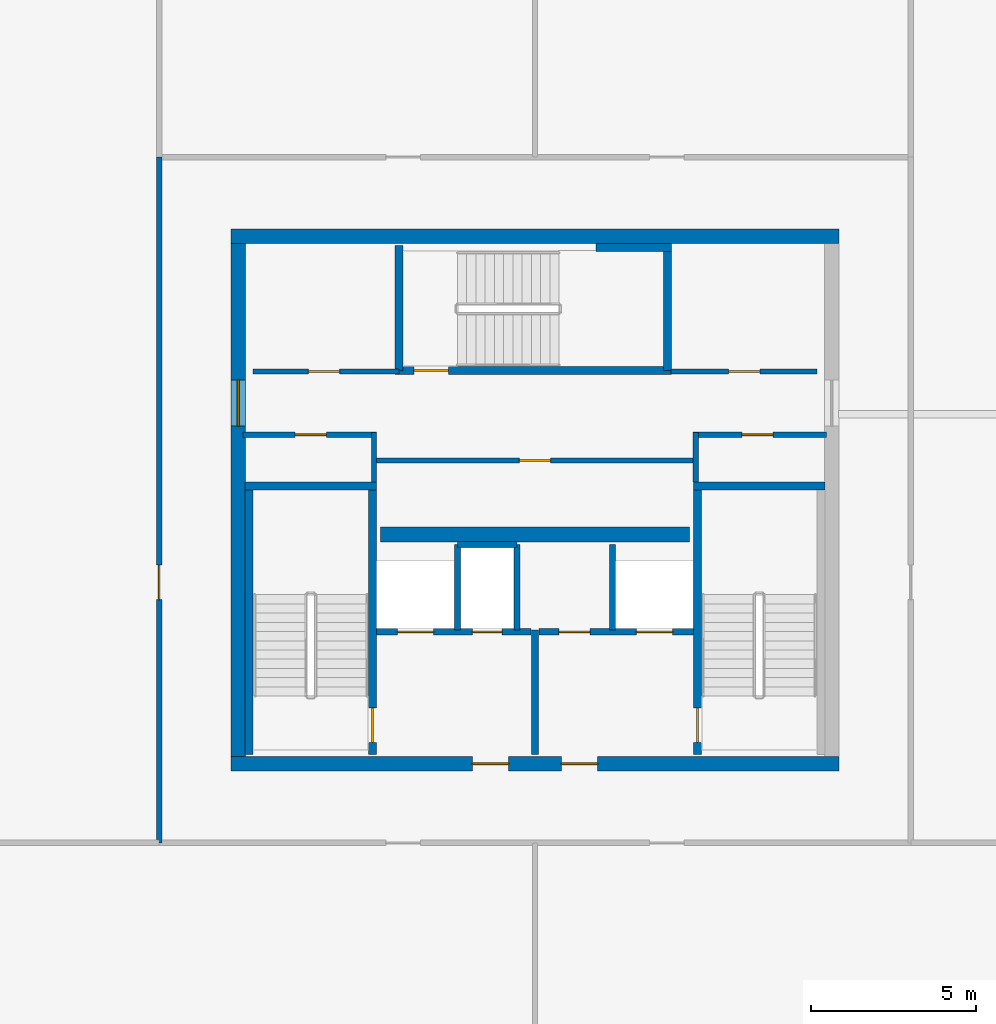
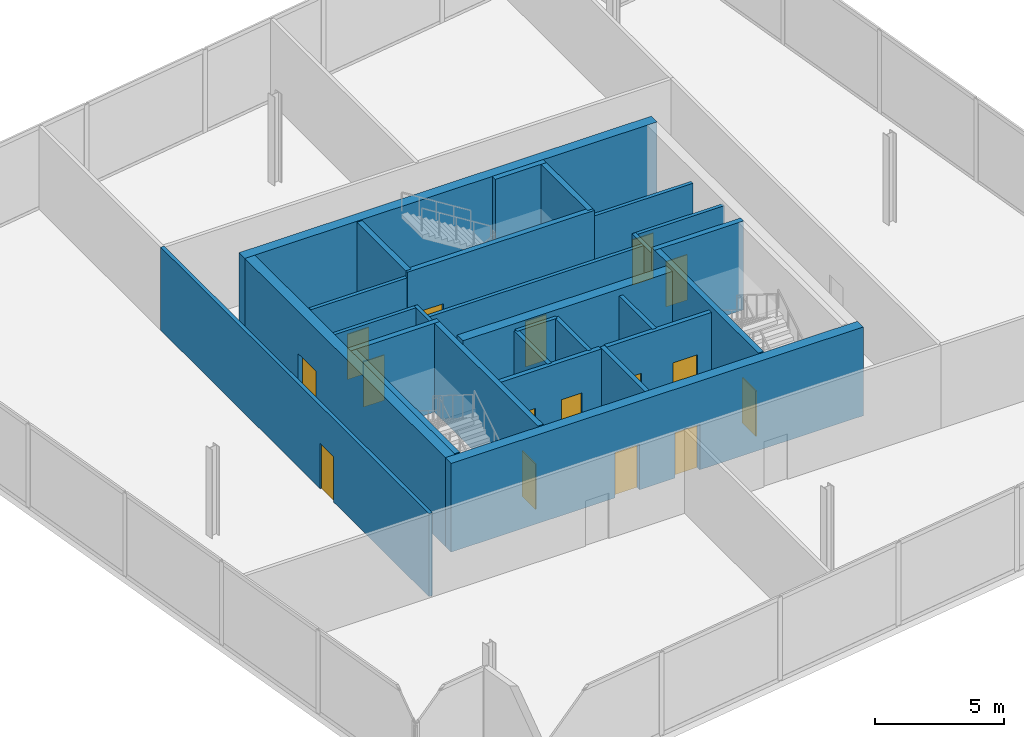
# One storey, part 11 of 13: 28 walls, 16 doors, 16 openings.
"""IFC4 building model written with IfcOpenShell, lengths in metres."""

from ifc_helpers import new_model, si_unit, direction, frame, frame_2d, origin, place, context, subcontext, project, spatial, rectangle, extrude, material, layer, layer_set, type_object, element, fill, save


model = new_model("IFC4")

# Units and contexts
model_context = context("Model", 3, precision=1e-05, world=origin(), true_north=direction((0.0, 1.0)))
body_context = subcontext(model_context, "Body", "Model", "MODEL_VIEW")
ifc_project = project(units=[si_unit("LENGTHUNIT", "METRE"), si_unit("AREAUNIT", "SQUARE_METRE"), si_unit("VOLUMEUNIT", "CUBIC_METRE"), si_unit("PLANEANGLEUNIT", "RADIAN"), si_unit("MASSUNIT", "GRAM", prefix="KILO")], contexts=[model_context])

# Site, building, storey
site_placement = place(None, origin())
site = spatial("IfcSite", under=ifc_project, at=site_placement, CompositionType="ELEMENT")
building_placement = place(site_placement, origin())
building = spatial("IfcBuilding", under=site, at=building_placement, Name="Haldenkirk Collegiate Tower", CompositionType="ELEMENT")
storey_placement = place(building_placement, frame((0.0, 0.0, 356.39990234375)))
storey = spatial("IfcBuildingStorey", under=building, at=storey_placement, Name="L90", CompositionType="ELEMENT", Elevation=356.39990234375)

# Wall, openings, doors
ifc_material_1 = material(Name="Concrete f'c 55 MPa", Category="concrete")
ifc_layer_1 = layer(ifc_material_1, 0.449951171875)
ifc_layer_set_1 = layer_set([ifc_layer_1], Name="Concrete f'c 55 MPa")
wall_type_1 = type_object("IfcWallType", Name="WL-CORE-450", PredefinedType="SHEAR", material=ifc_layer_set_1)
wall_1_placement = place(storey_placement, frame((26.77490234375, 18.0, 0.0), z_axis=(0.0, 0.0, 1.0), x_axis=(1.0, 0.0, 0.0)))
wall_1 = element("IfcWall", 1, at=wall_1_placement, inside=storey, type_object=wall_type_1, Name="L90 central core shear wall S", PredefinedType="SHEAR", context=body_context, shape_type="SweptSolid", body=[
    extrude(rectangle(XDim=18.4501953125, YDim=0.449951171875, at=frame_2d((9.22509765625, 0.0))), origin(), (0.0, 0.0, 1.0), 4.2001953125),
])
opening_1_placement = place(wall_1_placement, frame((7.324951171875, 0.0, 0.0)))
opening_1 = element("IfcOpeningElement", 2, at=opening_1_placement, cuts=wall_1, Name="Opening D-02", PredefinedType="OPENING", context=body_context, shape_type="SweptSolid", body=[
    extrude(rectangle(XDim=1.10009765625, YDim=2.14990234375, at=frame_2d((0.550048828125, 1.074951171875))), frame((0.0, 0.23486328125, 0.0), z_axis=(0.0, -1.0, 0.0), x_axis=(1.0, 0.0, 0.0)), (0.0, 0.0, 1.0), 0.469970703125),
])
opening_2_placement = place(wall_1_placement, frame((10.02490234375, 0.0, 0.0)))
opening_2 = element("IfcOpeningElement", 3, at=opening_2_placement, cuts=wall_1, Name="Opening D-02", PredefinedType="OPENING", context=body_context, shape_type="SweptSolid", body=[
    extrude(rectangle(XDim=1.10009765625, YDim=2.14990234375, at=frame_2d((0.550048828125, 1.074951171875))), frame((0.0, 0.23486328125, 0.0), z_axis=(0.0, -1.0, 0.0), x_axis=(1.0, 0.0, 0.0)), (0.0, 0.0, 1.0), 0.469970703125),
])
ifc_material_2 = material(Name="Galvanized fire-rated hollow steel door", Category="steel")
ifc_layer_2 = layer(ifc_material_2, 0.06005859375)
ifc_layer_set_2 = layer_set([ifc_layer_2], Name="Galvanized fire-rated hollow steel door")
door_type_1 = type_object("IfcDoorType", Name="DR-STAIR-FD90-1100", OperationType="NOTDEFINED", PredefinedType="DOOR", material=ifc_layer_set_2)
door_1_placement = place(opening_1_placement, origin())
door_1 = element("IfcDoor", 4, at=door_1_placement, inside=storey, type_object=door_type_1, Name="L90 Firefighting Lobby 1 door", OperationType="SINGLE_SWING_LEFT", OverallHeight=2.14990234375, OverallWidth=1.10009765625, PredefinedType="DOOR", context=body_context, shape_type="SweptSolid", body=[
    extrude(rectangle(XDim=1.10009765625, YDim=2.14990234375, at=frame_2d((0.550048828125, 1.074951171875))), frame((0.0, 0.02490234375, 0.0), z_axis=(0.0, -1.0, 0.0), x_axis=(1.0, 0.0, 0.0)), (0.0, 0.0, 1.0), 0.050048828125),
])
fill(opening_1, door_1)
door_2_placement = place(opening_2_placement, origin())
door_2 = element("IfcDoor", 5, at=door_2_placement, inside=storey, type_object=door_type_1, Name="L90 Firefighting Lobby 2 door", OperationType="SINGLE_SWING_RIGHT", OverallHeight=2.14990234375, OverallWidth=1.10009765625, PredefinedType="DOOR", context=body_context, shape_type="SweptSolid", body=[
    extrude(rectangle(XDim=1.10009765625, YDim=2.14990234375, at=frame_2d((0.550048828125, 1.074951171875))), frame((0.0, 0.02490234375, 0.0), z_axis=(0.0, -1.0, 0.0), x_axis=(1.0, 0.0, 0.0)), (0.0, 0.0, 1.0), 0.050048828125),
])
fill(opening_2, door_2)

# Wall
wall_2_placement = place(storey_placement, frame((26.77490234375, 34.0, 0.0), z_axis=(0.0, 0.0, 1.0), x_axis=(1.0, 0.0, 0.0)))
element("IfcWall", 6, at=wall_2_placement, inside=storey, type_object=wall_type_1, Name="L90 central core shear wall N", PredefinedType="SHEAR", context=body_context, shape_type="SweptSolid", body=[
    extrude(rectangle(XDim=18.4501953125, YDim=0.449951171875, at=frame_2d((9.22509765625, 0.0))), origin(), (0.0, 0.0, 1.0), 4.2001953125),
])

# Wall, opening, door
wall_3_placement = place(storey_placement, frame((27.0, 18.22509765625, 0.0), z_axis=(0.0, 0.0, 1.0), x_axis=(0.0, 1.0, 0.0)))
wall_3 = element("IfcWall", 7, at=wall_3_placement, inside=storey, type_object=wall_type_1, Name="L90 central core shear wall W", PredefinedType="SHEAR", context=body_context, shape_type="SweptSolid", body=[
    extrude(rectangle(XDim=15.5498046875, YDim=0.449951171875, at=frame_2d((7.77490234375, 0.0))), origin(), (0.0, 0.0, 1.0), 4.2001953125),
])
opening_3_placement = place(wall_3_placement, frame((10.014892578125, 0.0, 0.0)))
opening_3 = element("IfcOpeningElement", 8, at=opening_3_placement, cuts=wall_3, Name="Opening D-03", PredefinedType="OPENING", context=body_context, shape_type="SweptSolid", body=[
    extrude(rectangle(XDim=1.39990234375, YDim=2.199951171875, at=frame_2d((0.699951171875, 1.10009765625))), frame((0.0, 0.23486328125, 0.0), z_axis=(0.0, -1.0, 0.0), x_axis=(1.0, 0.0, 0.0)), (0.0, 0.0, 1.0), 0.469970703125),
])
ifc_layer_3 = layer(ifc_material_2, 0.06005859375)
ifc_layer_set_3 = layer_set([ifc_layer_3], Name="Galvanized fire-rated hollow steel door")
door_type_2 = type_object("IfcDoorType", Name="DR-LOBBY-FD90-1400", OperationType="NOTDEFINED", PredefinedType="DOOR", material=ifc_layer_set_3)
door_3_placement = place(opening_3_placement, origin())
door_3 = element("IfcDoor", 9, at=door_3_placement, inside=storey, type_object=door_type_2, Name="L90 west lift lobby portal", OperationType="DOUBLE_DOOR_SINGLE_SWING", OverallHeight=2.199951171875, OverallWidth=1.39990234375, PredefinedType="DOOR", context=body_context, shape_type="SweptSolid", body=[
    extrude(rectangle(XDim=1.39990234375, YDim=2.199951171875, at=frame_2d((0.699951171875, 1.10009765625))), frame((0.0, 0.02490234375, 0.0), z_axis=(0.0, -1.0, 0.0), x_axis=(1.0, 0.0, 0.0)), (0.0, 0.0, 1.0), 0.050048828125),
])
fill(opening_3, door_3)

# Wall
wall_4_placement = place(storey_placement, frame((31.31005859375, 24.949951171875, 0.0), z_axis=(0.0, 0.0, 1.0), x_axis=(1.0, 0.0, 0.0)))
element("IfcWall", 10, at=wall_4_placement, inside=storey, type_object=wall_type_1, Name="L90 central core spine shear wall", PredefinedType="SHEAR", context=body_context, shape_type="SweptSolid", body=[
    extrude(rectangle(XDim=9.3798828125, YDim=0.449951171875, at=frame_2d((4.68994140625, 0.0))), origin(), (0.0, 0.0, 1.0), 4.2001953125),
])

# Wall, opening, door
ifc_material_3 = material(Name="Acoustic fire-rated gypsum partition", Category="concrete")
ifc_layer_4 = layer(ifc_material_3, 0.159912109375)
ifc_layer_set_4 = layer_set([ifc_layer_4], Name="Acoustic fire-rated gypsum partition")
wall_type_2 = type_object("IfcWallType", Name="WL-INT-CORR-160", PredefinedType="PARTITIONING", material=ifc_layer_set_4)
wall_5_placement = place(storey_placement, frame((27.14990234375, 27.97998046875, 0.0), z_axis=(0.0, 0.0, 1.0), x_axis=(1.0, 0.0, 0.0)))
wall_5 = element("IfcWall", 11, at=wall_5_placement, inside=storey, type_object=wall_type_2, Name="L90 interior partition IW-L90-VCSW-N", PredefinedType="PARTITIONING", context=body_context, shape_type="SweptSolid", body=[
    extrude(rectangle(XDim=4.050048828125, YDim=0.159912109375, at=frame_2d((2.02490234375, 0.0))), origin(), (0.0, 0.0, 1.0), 3.93017578125),
])
opening_4_placement = place(wall_5_placement, frame((1.574951171875, 0.0, 0.0)))
opening_4 = element("IfcOpeningElement", 12, at=opening_4_placement, cuts=wall_5, Name="Opening D-10", PredefinedType="OPENING", context=body_context, shape_type="SweptSolid", body=[
    extrude(rectangle(XDim=0.949951171875, YDim=2.14990234375, at=frame_2d((0.47509765625, 1.074951171875))), frame((0.0, 0.08984375, 0.0), z_axis=(0.0, -1.0, 0.0), x_axis=(1.0, 0.0, 0.0)), (0.0, 0.0, 1.0), 0.179931640625),
])
ifc_material_4 = material(Name="Solid-core architectural oak fire door", Category="wood")
ifc_layer_5 = layer(ifc_material_4, 0.06005859375)
ifc_layer_set_5 = layer_set([ifc_layer_5], Name="Solid-core architectural oak fire door")
door_type_3 = type_object("IfcDoorType", Name="DR-INT-FD60-950", OperationType="NOTDEFINED", PredefinedType="DOOR", material=ifc_layer_set_5)
door_4_placement = place(opening_4_placement, origin())
door_4 = element("IfcDoor", 13, at=door_4_placement, inside=storey, type_object=door_type_3, Name="L90 core electrical door", OperationType="SINGLE_SWING_LEFT", OverallHeight=2.14990234375, OverallWidth=0.949951171875, PredefinedType="DOOR", context=body_context, shape_type="SweptSolid", body=[
    extrude(rectangle(XDim=0.949951171875, YDim=2.14990234375, at=frame_2d((0.47509765625, 1.074951171875))), frame((0.0, 0.02490234375, 0.0), z_axis=(0.0, -1.0, 0.0), x_axis=(1.0, 0.0, 0.0)), (0.0, 0.0, 1.0), 0.050048828125),
])
fill(opening_4, door_4)

# Wall
wall_6_placement = place(storey_placement, frame((31.1201171875, 26.5400390625, 0.0), z_axis=(0.0, 0.0, 1.0), x_axis=(0.0, 1.0, 0.0)))
element("IfcWall", 14, at=wall_6_placement, inside=storey, type_object=wall_type_2, Name="L90 interior partition IW-L90-VCSW-E", PredefinedType="PARTITIONING", context=body_context, shape_type="SweptSolid", body=[
    extrude(rectangle(XDim=1.510009765625, YDim=0.159912109375, at=frame_2d((0.7548828125, 0.0))), origin(), (0.0, 0.0, 1.0), 3.93017578125),
])

# Wall, opening, door
wall_7_placement = place(storey_placement, frame((40.800048828125, 27.97998046875, 0.0), z_axis=(0.0, 0.0, 1.0), x_axis=(1.0, 0.0, 0.0)))
wall_7 = element("IfcWall", 15, at=wall_7_placement, inside=storey, type_object=wall_type_2, Name="L90 interior partition IW-L90-VCSE-N", PredefinedType="PARTITIONING", context=body_context, shape_type="SweptSolid", body=[
    extrude(rectangle(XDim=4.050048828125, YDim=0.159912109375, at=frame_2d((2.02490234375, 0.0))), origin(), (0.0, 0.0, 1.0), 3.93017578125),
])
opening_5_placement = place(wall_7_placement, frame((1.47509765625, 0.0, 0.0)))
opening_5 = element("IfcOpeningElement", 16, at=opening_5_placement, cuts=wall_7, Name="Opening D-10", PredefinedType="OPENING", context=body_context, shape_type="SweptSolid", body=[
    extrude(rectangle(XDim=0.949951171875, YDim=2.14990234375, at=frame_2d((0.47509765625, 1.074951171875))), frame((0.0, 0.08984375, 0.0), z_axis=(0.0, -1.0, 0.0), x_axis=(1.0, 0.0, 0.0)), (0.0, 0.0, 1.0), 0.179931640625),
])
door_5_placement = place(opening_5_placement, origin())
door_5 = element("IfcDoor", 17, at=door_5_placement, inside=storey, type_object=door_type_3, Name="L90 core mechanical store door", OperationType="SINGLE_SWING_RIGHT", OverallHeight=2.14990234375, OverallWidth=0.949951171875, PredefinedType="DOOR", context=body_context, shape_type="SweptSolid", body=[
    extrude(rectangle(XDim=0.949951171875, YDim=2.14990234375, at=frame_2d((0.47509765625, 1.074951171875))), frame((0.0, 0.02490234375, 0.0), z_axis=(0.0, -1.0, 0.0), x_axis=(1.0, 0.0, 0.0)), (0.0, 0.0, 1.0), 0.050048828125),
])
fill(opening_5, door_5)

# Wall
wall_8_placement = place(storey_placement, frame((40.8798828125, 26.5400390625, 0.0), z_axis=(0.0, 0.0, 1.0), x_axis=(0.0, 1.0, 0.0)))
element("IfcWall", 18, at=wall_8_placement, inside=storey, type_object=wall_type_2, Name="L90 interior partition IW-L90-VCSE-W", PredefinedType="PARTITIONING", context=body_context, shape_type="SweptSolid", body=[
    extrude(rectangle(XDim=1.510009765625, YDim=0.159912109375, at=frame_2d((0.7548828125, 0.0))), origin(), (0.0, 0.0, 1.0), 3.93017578125),
])

# Wall, opening, door
wall_9_placement = place(storey_placement, frame((27.449951171875, 29.89990234375, 0.0), z_axis=(0.0, 0.0, 1.0), x_axis=(1.0, 0.0, 0.0)))
wall_9 = element("IfcWall", 19, at=wall_9_placement, inside=storey, type_object=wall_type_2, Name="L90 interior partition IW-L90-PLS", PredefinedType="PARTITIONING", context=body_context, shape_type="SweptSolid", body=[
    extrude(rectangle(XDim=4.429931640625, YDim=0.159912109375, at=frame_2d((2.21484375, 0.0))), origin(), (0.0, 0.0, 1.0), 3.93017578125),
])
opening_6_placement = place(wall_9_placement, frame((1.675048828125, 0.0, 0.0)))
opening_6 = element("IfcOpeningElement", 20, at=opening_6_placement, cuts=wall_9, Name="Opening D-10", PredefinedType="OPENING", context=body_context, shape_type="SweptSolid", body=[
    extrude(rectangle(XDim=0.949951171875, YDim=2.14990234375, at=frame_2d((0.47509765625, 1.074951171875))), frame((0.0, 0.08984375, 0.0), z_axis=(0.0, -1.0, 0.0), x_axis=(1.0, 0.0, 0.0)), (0.0, 0.0, 1.0), 0.179931640625),
])
door_6_placement = place(opening_6_placement, origin())
door_6 = element("IfcDoor", 21, at=door_6_placement, inside=storey, type_object=door_type_3, Name="L90 reclaimed plant store door", OperationType="SINGLE_SWING_LEFT", OverallHeight=2.14990234375, OverallWidth=0.949951171875, PredefinedType="DOOR", context=body_context, shape_type="SweptSolid", body=[
    extrude(rectangle(XDim=0.949951171875, YDim=2.14990234375, at=frame_2d((0.47509765625, 1.074951171875))), frame((0.0, 0.02490234375, 0.0), z_axis=(0.0, -1.0, 0.0), x_axis=(1.0, 0.0, 0.0)), (0.0, 0.0, 1.0), 0.050048828125),
])
fill(opening_6, door_6)

wall_10_placement = place(storey_placement, frame((40.1201171875, 29.89990234375, 0.0), z_axis=(0.0, 0.0, 1.0), x_axis=(1.0, 0.0, 0.0)))
wall_10 = element("IfcWall", 22, at=wall_10_placement, inside=storey, type_object=wall_type_2, Name="L90 interior partition IW-L90-PMS", PredefinedType="PARTITIONING", context=body_context, shape_type="SweptSolid", body=[
    extrude(rectangle(XDim=4.429931640625, YDim=0.159912109375, at=frame_2d((2.21484375, 0.0))), origin(), (0.0, 0.0, 1.0), 3.93017578125),
])
opening_7_placement = place(wall_10_placement, frame((1.7548828125, 0.0, 0.0)))
opening_7 = element("IfcOpeningElement", 23, at=opening_7_placement, cuts=wall_10, Name="Opening D-10", PredefinedType="OPENING", context=body_context, shape_type="SweptSolid", body=[
    extrude(rectangle(XDim=0.949951171875, YDim=2.14990234375, at=frame_2d((0.47509765625, 1.074951171875))), frame((0.0, 0.08984375, 0.0), z_axis=(0.0, -1.0, 0.0), x_axis=(1.0, 0.0, 0.0)), (0.0, 0.0, 1.0), 0.179931640625),
])
door_7_placement = place(opening_7_placement, origin())
door_7 = element("IfcDoor", 24, at=door_7_placement, inside=storey, type_object=door_type_3, Name="L90 east plant store door", OperationType="SINGLE_SWING_RIGHT", OverallHeight=2.14990234375, OverallWidth=0.949951171875, PredefinedType="DOOR", context=body_context, shape_type="SweptSolid", body=[
    extrude(rectangle(XDim=0.949951171875, YDim=2.14990234375, at=frame_2d((0.47509765625, 1.074951171875))), frame((0.0, 0.02490234375, 0.0), z_axis=(0.0, -1.0, 0.0), x_axis=(1.0, 0.0, 0.0)), (0.0, 0.0, 1.0), 0.050048828125),
])
fill(opening_7, door_7)

wall_11_placement = place(storey_placement, frame((31.199951171875, 27.199951171875, 0.0), z_axis=(0.0, 0.0, 1.0), x_axis=(1.0, 0.0, 0.0)))
wall_11 = element("IfcWall", 25, at=wall_11_placement, inside=storey, type_object=wall_type_2, Name="L90 interior partition IW-L90-PHN", PredefinedType="PARTITIONING", context=body_context, shape_type="SweptSolid", body=[
    extrude(rectangle(XDim=9.60009765625, YDim=0.159912109375, at=frame_2d((4.800048828125, 0.0))), origin(), (0.0, 0.0, 1.0), 3.93017578125),
])
opening_8_placement = place(wall_11_placement, frame((4.324951171875, 0.0, 0.0)))
opening_8 = element("IfcOpeningElement", 26, at=opening_8_placement, cuts=wall_11, Name="Opening D-10", PredefinedType="OPENING", context=body_context, shape_type="SweptSolid", body=[
    extrude(rectangle(XDim=0.949951171875, YDim=2.14990234375, at=frame_2d((0.47509765625, 1.074951171875))), frame((0.0, 0.08984375, 0.0), z_axis=(0.0, -1.0, 0.0), x_axis=(1.0, 0.0, 0.0)), (0.0, 0.0, 1.0), 0.179931640625),
])
door_8_placement = place(opening_8_placement, origin())
door_8 = element("IfcDoor", 27, at=door_8_placement, inside=storey, type_object=door_type_3, Name="L90 crown telemetry door", OperationType="SINGLE_SWING_LEFT", OverallHeight=2.14990234375, OverallWidth=0.949951171875, PredefinedType="DOOR", context=body_context, shape_type="SweptSolid", body=[
    extrude(rectangle(XDim=0.949951171875, YDim=2.14990234375, at=frame_2d((0.47509765625, 1.074951171875))), frame((0.0, 0.02490234375, 0.0), z_axis=(0.0, -1.0, 0.0), x_axis=(1.0, 0.0, 0.0)), (0.0, 0.0, 1.0), 0.050048828125),
])
fill(opening_8, door_8)

wall_12_placement = place(storey_placement, frame((24.60009765625, 15.60009765625, 0.0), z_axis=(0.0, 0.0, 1.0), x_axis=(0.0, 1.0, 0.0)))
wall_12 = element("IfcWall", 28, at=wall_12_placement, inside=storey, type_object=wall_type_2, Name="L90 interior partition IW-L90-CW", PredefinedType="PARTITIONING", context=body_context, shape_type="SweptSolid", body=[
    extrude(rectangle(XDim=20.7998046875, YDim=0.159912109375, at=frame_2d((10.39990234375, 0.0))), origin(), (0.0, 0.0, 1.0), 3.93017578125),
])
opening_9_placement = place(wall_12_placement, frame((7.375, 0.0, 0.0)))
opening_9 = element("IfcOpeningElement", 29, at=opening_9_placement, cuts=wall_12, Name="Opening D-09", PredefinedType="OPENING", context=body_context, shape_type="SweptSolid", body=[
    extrude(rectangle(XDim=1.050048828125, YDim=2.14990234375, at=frame_2d((0.52490234375, 1.074951171875))), frame((0.0, 0.08984375, 0.0), z_axis=(0.0, -1.0, 0.0), x_axis=(1.0, 0.0, 0.0)), (0.0, 0.0, 1.0), 0.179931640625),
])
ifc_layer_6 = layer(ifc_material_4, 0.06005859375)
ifc_layer_set_6 = layer_set([ifc_layer_6], Name="Solid-core architectural oak fire door")
door_type_4 = type_object("IfcDoorType", Name="DR-INT-FD60-1050", OperationType="NOTDEFINED", PredefinedType="DOOR", material=ifc_layer_set_6)
door_9_placement = place(opening_9_placement, origin())
door_9 = element("IfcDoor", 30, at=door_9_placement, inside=storey, type_object=door_type_4, Name="L90 crown W plant door", OperationType="SINGLE_SWING_RIGHT", OverallHeight=2.14990234375, OverallWidth=1.050048828125, PredefinedType="DOOR", context=body_context, shape_type="SweptSolid", body=[
    extrude(rectangle(XDim=1.050048828125, YDim=2.14990234375, at=frame_2d((0.52490234375, 1.074951171875))), frame((0.0, 0.02490234375, 0.0), z_axis=(0.0, -1.0, 0.0), x_axis=(1.0, 0.0, 0.0)), (0.0, 0.0, 1.0), 0.050048828125),
])
fill(opening_9, door_9)

# Walls
ifc_material_5 = material(Name="Fire-rated gypsum shaftboard assembly", Category="concrete")
ifc_layer_7 = layer(ifc_material_5, 0.179931640625)
ifc_layer_set_7 = layer_set([ifc_layer_7], Name="Fire-rated gypsum shaftboard assembly")
wall_type_3 = type_object("IfcWallType", Name="WL-INT-SHAFT-180", PredefinedType="PARTITIONING", material=ifc_layer_set_7)
for number, where, z_axis, x_axis, name in (
    (31, (33.64990234375, 22.050048828125, 0.0), (0.0, 0.0, 1.0), (0.0, 1.0, 0.0), "L90 interior partition IW-L90-FL1E"),
    (32, (35.449951171875, 22.050048828125, 0.0), (0.0, 0.0, 1.0), (0.0, 1.0, 0.0), "L90 interior partition IW-L90-GL1W"),
):
    element("IfcWall", number, at=place(storey_placement, frame(where, z_axis=z_axis, x_axis=x_axis)), inside=storey, type_object=wall_type_3, Name=name, PredefinedType="PARTITIONING", context=body_context, shape_type="SweptSolid", body=[
        extrude(rectangle(XDim=2.599853515625, YDim=0.179931640625, at=frame_2d((1.2998046875, 0.0))), origin(), (0.0, 0.0, 1.0), 3.93017578125),
    ])
wall_13_placement = place(storey_placement, frame((33.64990234375, 24.64990234375, 0.0), z_axis=(0.0, 0.0, 1.0), x_axis=(1.0, 0.0, 0.0)))
element("IfcWall", 33, at=wall_13_placement, inside=storey, type_object=wall_type_3, Name="L90 interior partition IW-L90-RSRN", PredefinedType="PARTITIONING", context=body_context, shape_type="SweptSolid", body=[
    extrude(rectangle(XDim=1.800048828125, YDim=0.179931640625, at=frame_2d((0.89990234375, 0.0))), origin(), (0.0, 0.0, 1.0), 3.93017578125),
])
wall_14_placement = place(storey_placement, frame((38.35009765625, 22.050048828125, 0.0), z_axis=(0.0, 0.0, 1.0), x_axis=(0.0, 1.0, 0.0)))
element("IfcWall", 34, at=wall_14_placement, inside=storey, type_object=wall_type_3, Name="L90 interior partition IW-L90-GL1E", PredefinedType="PARTITIONING", context=body_context, shape_type="SweptSolid", body=[
    extrude(rectangle(XDim=2.599853515625, YDim=0.179931640625, at=frame_2d((1.2998046875, 0.0))), origin(), (0.0, 0.0, 1.0), 3.93017578125),
])
ifc_layer_8 = layer(ifc_material_5, 0.199951171875)
ifc_layer_set_8 = layer_set([ifc_layer_8], Name="Fire-rated gypsum shaftboard assembly")
wall_type_4 = type_object("IfcWallType", Name="WL-INT-SHAFT-200", PredefinedType="PARTITIONING", material=ifc_layer_set_8)
wall_15_placement = place(storey_placement, frame((36.0, 18.280029296875, 0.0), z_axis=(0.0, 0.0, 1.0), x_axis=(0.0, 1.0, 0.0)))
element("IfcWall", 35, at=wall_15_placement, inside=storey, type_object=wall_type_4, Name="L90 interior partition IW-L90-FFLM", PredefinedType="PARTITIONING", context=body_context, shape_type="SweptSolid", body=[
    extrude(rectangle(XDim=3.77001953125, YDim=0.199951171875, at=frame_2d((1.885009765625, 0.0))), origin(), (0.0, 0.0, 1.0), 3.93017578125),
])

# Wall, openings, doors
wall_16_placement = place(storey_placement, frame((31.18994140625, 22.0, 0.0), z_axis=(0.0, 0.0, 1.0), x_axis=(1.0, 0.0, 0.0)))
wall_16 = element("IfcWall", 36, at=wall_16_placement, inside=storey, type_object=wall_type_4, Name="L90 interior partition IW-L90-FFL1N", PredefinedType="PARTITIONING", context=body_context, shape_type="SweptSolid", body=[
    extrude(rectangle(XDim=4.68994140625, YDim=0.199951171875, at=frame_2d((2.344970703125, 0.0))), origin(), (0.0, 0.0, 1.0), 3.93017578125),
])
opening_10_placement = place(wall_16_placement, frame((2.909912109375, 0.0, 0.0)))
opening_10 = element("IfcOpeningElement", 37, at=opening_10_placement, cuts=wall_16, Name="Opening D-06", PredefinedType="OPENING", context=body_context, shape_type="SweptSolid", body=[
    extrude(rectangle(XDim=0.89990234375, YDim=2.14990234375, at=frame_2d((0.449951171875, 1.074951171875))), frame((0.0, 0.10986328125, 0.0), z_axis=(0.0, -1.0, 0.0), x_axis=(1.0, 0.0, 0.0)), (0.0, 0.0, 1.0), 0.219970703125),
])
opening_11_placement = place(wall_16_placement, frame((0.635009765625, 0.0, 0.0)))
opening_11 = element("IfcOpeningElement", 38, at=opening_11_placement, cuts=wall_16, Name="Opening LD-12", PredefinedType="OPENING", context=body_context, shape_type="SweptSolid", body=[
    extrude(rectangle(XDim=1.10009765625, YDim=2.14990234375, at=frame_2d((0.550048828125, 1.074951171875))), frame((0.0, 0.10986328125, 0.0), z_axis=(0.0, -1.0, 0.0), x_axis=(1.0, 0.0, 0.0)), (0.0, 0.0, 1.0), 0.219970703125),
])
ifc_layer_9 = layer(ifc_material_2, 0.06005859375)
ifc_layer_set_9 = layer_set([ifc_layer_9], Name="Galvanized fire-rated hollow steel door")
door_type_5 = type_object("IfcDoorType", Name="DR-INT-FD90-900", OperationType="NOTDEFINED", PredefinedType="DOOR", material=ifc_layer_set_9)
door_10_placement = place(opening_10_placement, origin())
door_10 = element("IfcDoor", 39, at=door_10_placement, inside=storey, type_object=door_type_5, Name="L90 electrical riser door", OperationType="SINGLE_SWING_LEFT", OverallHeight=2.14990234375, OverallWidth=0.89990234375, PredefinedType="DOOR", context=body_context, shape_type="SweptSolid", body=[
    extrude(rectangle(XDim=0.89990234375, YDim=2.14990234375, at=frame_2d((0.449951171875, 1.074951171875))), frame((0.0, 0.02490234375, 0.0), z_axis=(0.0, -1.0, 0.0), x_axis=(1.0, 0.0, 0.0)), (0.0, 0.0, 1.0), 0.050048828125),
])
fill(opening_10, door_10)
ifc_material_6 = material(Name="Brushed architectural stainless steel", Category="steel")
ifc_layer_10 = layer(ifc_material_6, 0.06005859375)
ifc_layer_set_10 = layer_set([ifc_layer_10], Name="Brushed architectural stainless steel")
door_type_6 = type_object("IfcDoorType", Name="LD-FIRE-1100", OperationType="NOTDEFINED", PredefinedType="DOOR", material=ifc_layer_set_10)
door_11_placement = place(opening_11_placement, origin())
door_11 = element("IfcDoor", 40, at=door_11_placement, inside=storey, type_object=door_type_6, Name="L90 Elevator FL1 sliding landing door", OperationType="SLIDING_TO_LEFT", OverallHeight=2.14990234375, OverallWidth=1.10009765625, PredefinedType="DOOR", context=body_context, shape_type="SweptSolid", body=[
    extrude(rectangle(XDim=1.10009765625, YDim=2.14990234375, at=frame_2d((0.550048828125, 1.074951171875))), frame((0.0, 0.02490234375, 0.0), z_axis=(0.0, -1.0, 0.0), x_axis=(1.0, 0.0, 0.0)), (0.0, 0.0, 1.0), 0.050048828125),
])
fill(opening_11, door_11)

wall_17_placement = place(storey_placement, frame((36.1201171875, 22.0, 0.0), z_axis=(0.0, 0.0, 1.0), x_axis=(1.0, 0.0, 0.0)))
wall_17 = element("IfcWall", 41, at=wall_17_placement, inside=storey, type_object=wall_type_4, Name="L90 interior partition IW-L90-FFL2N", PredefinedType="PARTITIONING", context=body_context, shape_type="SweptSolid", body=[
    extrude(rectangle(XDim=4.68994140625, YDim=0.199951171875, at=frame_2d((2.344970703125, 0.0))), origin(), (0.0, 0.0, 1.0), 3.93017578125),
])
opening_12_placement = place(wall_17_placement, frame((0.60498046875, 0.0, 0.0)))
opening_12 = element("IfcOpeningElement", 42, at=opening_12_placement, cuts=wall_17, Name="Opening D-05", PredefinedType="OPENING", context=body_context, shape_type="SweptSolid", body=[
    extrude(rectangle(XDim=0.949951171875, YDim=2.14990234375, at=frame_2d((0.47509765625, 1.074951171875))), frame((0.0, 0.10986328125, 0.0), z_axis=(0.0, -1.0, 0.0), x_axis=(1.0, 0.0, 0.0)), (0.0, 0.0, 1.0), 0.219970703125),
])
opening_13_placement = place(wall_17_placement, frame((2.955078125, 0.0, 0.0)))
opening_13 = element("IfcOpeningElement", 43, at=opening_13_placement, cuts=wall_17, Name="Opening LD-12", PredefinedType="OPENING", context=body_context, shape_type="SweptSolid", body=[
    extrude(rectangle(XDim=1.10009765625, YDim=2.14990234375, at=frame_2d((0.550048828125, 1.074951171875))), frame((0.0, 0.10986328125, 0.0), z_axis=(0.0, -1.0, 0.0), x_axis=(1.0, 0.0, 0.0)), (0.0, 0.0, 1.0), 0.219970703125),
])
ifc_layer_11 = layer(ifc_material_2, 0.06005859375)
ifc_layer_set_11 = layer_set([ifc_layer_11], Name="Galvanized fire-rated hollow steel door")
door_type_7 = type_object("IfcDoorType", Name="DR-INT-FD90-950", OperationType="NOTDEFINED", PredefinedType="DOOR", material=ifc_layer_set_11)
door_12_placement = place(opening_12_placement, origin())
door_12 = element("IfcDoor", 44, at=door_12_placement, inside=storey, type_object=door_type_7, Name="L90 Goods Lift Machine Room door", OperationType="SINGLE_SWING_RIGHT", OverallHeight=2.14990234375, OverallWidth=0.949951171875, PredefinedType="DOOR", context=body_context, shape_type="SweptSolid", body=[
    extrude(rectangle(XDim=0.949951171875, YDim=2.14990234375, at=frame_2d((0.47509765625, 1.074951171875))), frame((0.0, 0.02490234375, 0.0), z_axis=(0.0, -1.0, 0.0), x_axis=(1.0, 0.0, 0.0)), (0.0, 0.0, 1.0), 0.050048828125),
])
fill(opening_12, door_12)
door_13_placement = place(opening_13_placement, origin())
door_13 = element("IfcDoor", 45, at=door_13_placement, inside=storey, type_object=door_type_6, Name="L90 Elevator FL2 sliding landing door", OperationType="SLIDING_TO_LEFT", OverallHeight=2.14990234375, OverallWidth=1.10009765625, PredefinedType="DOOR", context=body_context, shape_type="SweptSolid", body=[
    extrude(rectangle(XDim=1.10009765625, YDim=2.14990234375, at=frame_2d((0.550048828125, 1.074951171875))), frame((0.0, 0.02490234375, 0.0), z_axis=(0.0, -1.0, 0.0), x_axis=(1.0, 0.0, 0.0)), (0.0, 0.0, 1.0), 0.050048828125),
])
fill(opening_13, door_13)

# Wall, opening, door
ifc_layer_12 = layer(ifc_material_1, 0.239990234375)
ifc_layer_set_12 = layer_set([ifc_layer_12], Name="Concrete f'c 55 MPa")
wall_type_5 = type_object("IfcWallType", Name="WL-SHAFT-240", PredefinedType="SHEAR", material=ifc_layer_set_12)
wall_18_placement = place(storey_placement, frame((31.070068359375, 18.280029296875, 0.0), z_axis=(0.0, 0.0, 1.0), x_axis=(0.0, 1.0, 0.0)))
wall_18 = element("IfcWall", 46, at=wall_18_placement, inside=storey, type_object=wall_type_5, Name="L90 stair shaft shear wall SW-L90-ST1E", PredefinedType="SHEAR", context=body_context, shape_type="SweptSolid", body=[
    extrude(rectangle(XDim=8.260009765625, YDim=0.239990234375, at=frame_2d((4.1298828125, 0.0))), origin(), (0.0, 0.0, 1.0), 4.2001953125),
])
opening_14_placement = place(wall_18_placement, frame((0.364990234375, 0.0, 0.0)))
opening_14 = element("IfcOpeningElement", 47, at=opening_14_placement, cuts=wall_18, Name="Opening D-01", PredefinedType="OPENING", context=body_context, shape_type="SweptSolid", body=[
    extrude(rectangle(XDim=1.050048828125, YDim=2.14990234375, at=frame_2d((0.52490234375, 1.074951171875))), frame((0.0, 0.1298828125, 0.0), z_axis=(0.0, -1.0, 0.0), x_axis=(1.0, 0.0, 0.0)), (0.0, 0.0, 1.0), 0.260009765625),
])
ifc_layer_13 = layer(ifc_material_2, 0.06005859375)
ifc_layer_set_13 = layer_set([ifc_layer_13], Name="Galvanized fire-rated hollow steel door")
door_type_8 = type_object("IfcDoorType", Name="DR-STAIR-FD90-1050", OperationType="NOTDEFINED", PredefinedType="DOOR", material=ifc_layer_set_13)
door_14_placement = place(opening_14_placement, origin())
door_14 = element("IfcDoor", 48, at=door_14_placement, inside=storey, type_object=door_type_8, Name="L90 Stair 1 door", OperationType="SINGLE_SWING_LEFT", OverallHeight=2.14990234375, OverallWidth=1.050048828125, PredefinedType="DOOR", context=body_context, shape_type="SweptSolid", body=[
    extrude(rectangle(XDim=1.050048828125, YDim=2.14990234375, at=frame_2d((0.52490234375, 1.074951171875))), frame((0.0, 0.02490234375, 0.0), z_axis=(0.0, -1.0, 0.0), x_axis=(1.0, 0.0, 0.0)), (0.0, 0.0, 1.0), 0.050048828125),
])
fill(opening_14, door_14)

# Walls
wall_19_placement = place(storey_placement, frame((27.2099609375, 26.419921875, 0.0), z_axis=(0.0, 0.0, 1.0), x_axis=(1.0, 0.0, 0.0)))
element("IfcWall", 49, at=wall_19_placement, inside=storey, type_object=wall_type_5, Name="L90 stair shaft shear wall SW-L90-ST1N", PredefinedType="SHEAR", context=body_context, shape_type="SweptSolid", body=[
    extrude(rectangle(XDim=3.97998046875, YDim=0.239990234375, at=frame_2d((1.989990234375, 0.0))), origin(), (0.0, 0.0, 1.0), 4.2001953125),
])
wall_20_placement = place(storey_placement, frame((27.330078125, 18.280029296875, 0.0), z_axis=(0.0, 0.0, 1.0), x_axis=(0.0, 1.0, 0.0)))
element("IfcWall", 50, at=wall_20_placement, inside=storey, type_object=wall_type_5, Name="L90 stair shaft shear wall SW-L90-ST1W", PredefinedType="SHEAR", context=body_context, shape_type="SweptSolid", body=[
    extrude(rectangle(XDim=8.260009765625, YDim=0.239990234375, at=frame_2d((4.1298828125, 0.0))), origin(), (0.0, 0.0, 1.0), 4.2001953125),
])

# Wall, opening, door
wall_21_placement = place(storey_placement, frame((40.929931640625, 18.280029296875, 0.0), z_axis=(0.0, 0.0, 1.0), x_axis=(0.0, 1.0, 0.0)))
wall_21 = element("IfcWall", 51, at=wall_21_placement, inside=storey, type_object=wall_type_5, Name="L90 stair shaft shear wall SW-L90-ST2W", PredefinedType="SHEAR", context=body_context, shape_type="SweptSolid", body=[
    extrude(rectangle(XDim=8.260009765625, YDim=0.239990234375, at=frame_2d((4.1298828125, 0.0))), origin(), (0.0, 0.0, 1.0), 4.2001953125),
])
opening_15_placement = place(wall_21_placement, frame((0.364990234375, 0.0, 0.0)))
opening_15 = element("IfcOpeningElement", 52, at=opening_15_placement, cuts=wall_21, Name="Opening D-01", PredefinedType="OPENING", context=body_context, shape_type="SweptSolid", body=[
    extrude(rectangle(XDim=1.050048828125, YDim=2.14990234375, at=frame_2d((0.52490234375, 1.074951171875))), frame((0.0, 0.1298828125, 0.0), z_axis=(0.0, -1.0, 0.0), x_axis=(1.0, 0.0, 0.0)), (0.0, 0.0, 1.0), 0.260009765625),
])
door_15_placement = place(opening_15_placement, origin())
door_15 = element("IfcDoor", 53, at=door_15_placement, inside=storey, type_object=door_type_8, Name="L90 Stair 2 door", OperationType="SINGLE_SWING_RIGHT", OverallHeight=2.14990234375, OverallWidth=1.050048828125, PredefinedType="DOOR", context=body_context, shape_type="SweptSolid", body=[
    extrude(rectangle(XDim=1.050048828125, YDim=2.14990234375, at=frame_2d((0.52490234375, 1.074951171875))), frame((0.0, 0.02490234375, 0.0), z_axis=(0.0, -1.0, 0.0), x_axis=(1.0, 0.0, 0.0)), (0.0, 0.0, 1.0), 0.050048828125),
])
fill(opening_15, door_15)

# Wall
wall_22_placement = place(storey_placement, frame((40.81005859375, 26.419921875, 0.0), z_axis=(0.0, 0.0, 1.0), x_axis=(1.0, 0.0, 0.0)))
element("IfcWall", 54, at=wall_22_placement, inside=storey, type_object=wall_type_5, Name="L90 stair shaft shear wall SW-L90-ST2N", PredefinedType="SHEAR", context=body_context, shape_type="SweptSolid", body=[
    extrude(rectangle(XDim=3.97998046875, YDim=0.239990234375, at=frame_2d((1.989990234375, 0.0))), origin(), (0.0, 0.0, 1.0), 4.2001953125),
])

# Wall, opening, door
wall_23_placement = place(storey_placement, frame((31.760009765625, 29.929931640625, 0.0), z_axis=(0.0, 0.0, 1.0), x_axis=(1.0, 0.0, 0.0)))
wall_23 = element("IfcWall", 55, at=wall_23_placement, inside=storey, type_object=wall_type_5, Name="L90 stair shaft shear wall SW-L90-ST3S", PredefinedType="SHEAR", context=body_context, shape_type="SweptSolid", body=[
    extrude(rectangle(XDim=8.3798828125, YDim=0.239990234375, at=frame_2d((4.18994140625, 0.0))), origin(), (0.0, 0.0, 1.0), 4.2001953125),
])
opening_16_placement = place(wall_23_placement, frame((0.56494140625, 0.0, 0.0)))
opening_16 = element("IfcOpeningElement", 56, at=opening_16_placement, cuts=wall_23, Name="Opening D-01", PredefinedType="OPENING", context=body_context, shape_type="SweptSolid", body=[
    extrude(rectangle(XDim=1.050048828125, YDim=2.14990234375, at=frame_2d((0.52490234375, 1.074951171875))), frame((0.0, 0.1298828125, 0.0), z_axis=(0.0, -1.0, 0.0), x_axis=(1.0, 0.0, 0.0)), (0.0, 0.0, 1.0), 0.260009765625),
])
door_16_placement = place(opening_16_placement, origin())
door_16 = element("IfcDoor", 57, at=door_16_placement, inside=storey, type_object=door_type_8, Name="L90 lift lobby Stair 3 door", OperationType="SINGLE_SWING_RIGHT", OverallHeight=2.14990234375, OverallWidth=1.050048828125, PredefinedType="DOOR", context=body_context, shape_type="SweptSolid", body=[
    extrude(rectangle(XDim=1.050048828125, YDim=2.14990234375, at=frame_2d((0.52490234375, 1.074951171875))), frame((0.0, 0.02490234375, 0.0), z_axis=(0.0, -1.0, 0.0), x_axis=(1.0, 0.0, 0.0)), (0.0, 0.0, 1.0), 0.050048828125),
])
fill(opening_16, door_16)

# Walls
wall_24_placement = place(storey_placement, frame((31.8798828125, 29.929931640625, 0.0), z_axis=(0.0, 0.0, 1.0), x_axis=(0.0, 1.0, 0.0)))
element("IfcWall", 58, at=wall_24_placement, inside=storey, type_object=wall_type_5, Name="L90 stair shaft shear wall SW-L90-ST3W", PredefinedType="SHEAR", context=body_context, shape_type="SweptSolid", body=[
    extrude(rectangle(XDim=3.7900390625, YDim=0.239990234375, at=frame_2d((1.89501953125, 0.0))), origin(), (0.0, 0.0, 1.0), 4.2001953125),
])
wall_25_placement = place(storey_placement, frame((40.02001953125, 29.929931640625, 0.0), z_axis=(0.0, 0.0, 1.0), x_axis=(0.0, 1.0, 0.0)))
element("IfcWall", 59, at=wall_25_placement, inside=storey, type_object=wall_type_5, Name="L90 stair shaft shear wall SW-L90-ST3E", PredefinedType="SHEAR", context=body_context, shape_type="SweptSolid", body=[
    extrude(rectangle(XDim=3.85009765625, YDim=0.239990234375, at=frame_2d((1.925048828125, 0.0))), origin(), (0.0, 0.0, 1.0), 4.2001953125),
])
wall_26_placement = place(storey_placement, frame((37.85009765625, 33.659912109375, 0.0), z_axis=(0.0, 0.0, 1.0), x_axis=(1.0, 0.0, 0.0)))
element("IfcWall", 60, at=wall_26_placement, inside=storey, type_object=wall_type_5, Name="L90 stair shaft shear wall SW-L90-ST3N", PredefinedType="SHEAR", context=body_context, shape_type="SweptSolid", body=[
    extrude(rectangle(XDim=2.289794921875, YDim=0.239990234375, at=frame_2d((1.14501953125, 0.0))), origin(), (0.0, 0.0, 1.0), 4.2001953125),
])

save(model, "model.ifc")
